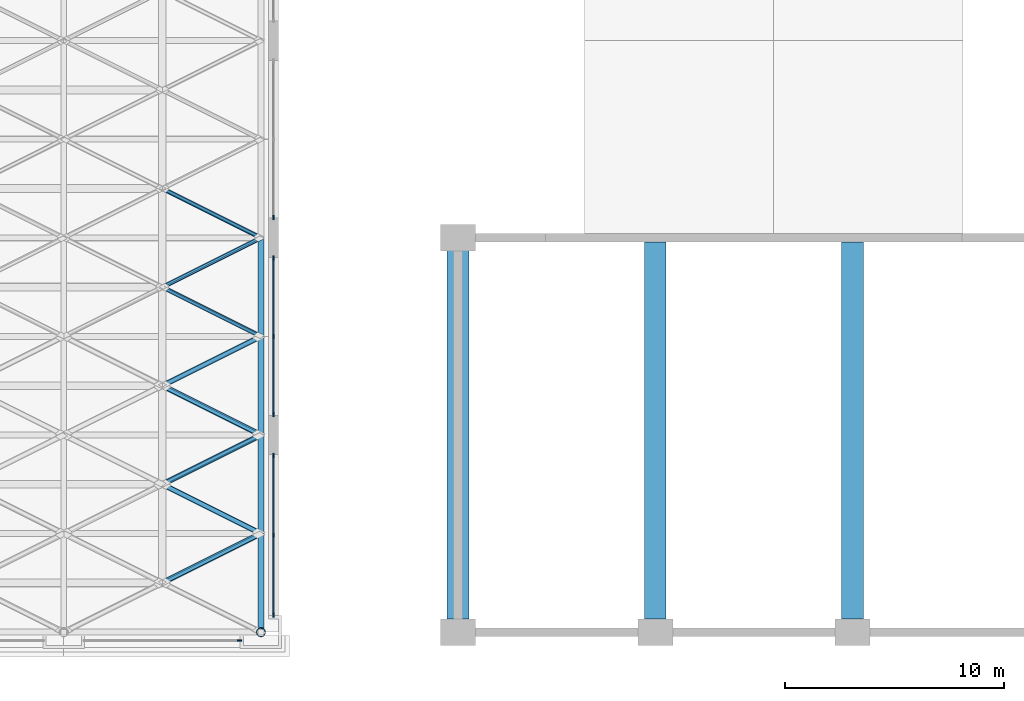
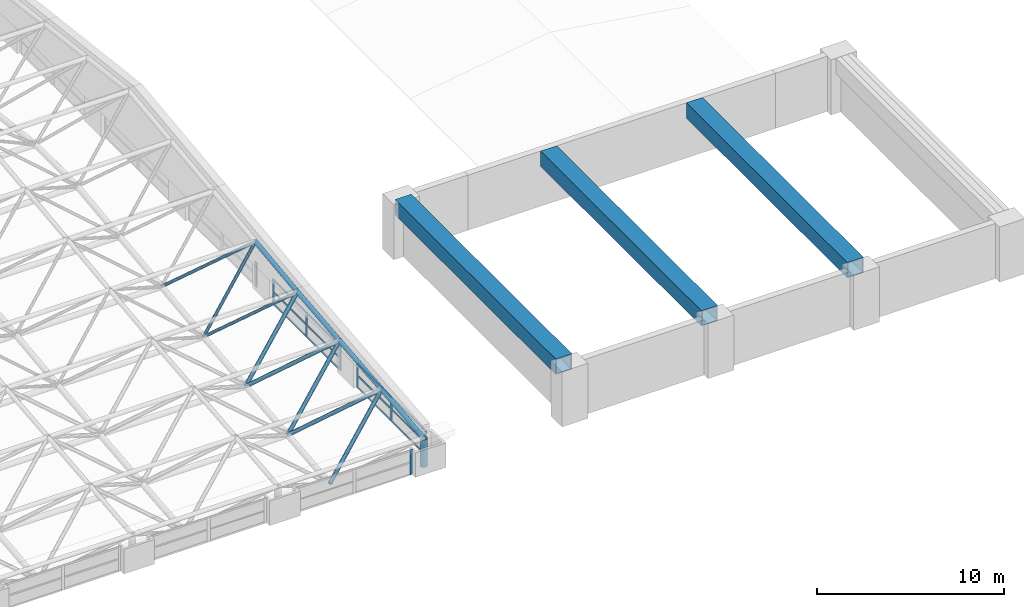
# One storey, part 15 of 53: 33 members, 3 beams, 4 elements without a shape of their own.
"""IFC4 building model written with IfcOpenShell, lengths in metres."""

from ifc_helpers import new_model, si_unit, direction, frame, origin, origin_2d, place, context, subcontext, project, spatial, rectangle, hollow_rectangle, hollow_circle, extrude, material, material_profile, profile_set, type_object, element, aggregate, save


model = new_model("IFC4")

# Units and contexts
model_context = context("Model", 3, precision=1e-05, world=origin(), true_north=direction((0.0, 1.0)))
body_context = subcontext(model_context, "Body", "Model", "MODEL_VIEW")
ifc_project = project(units=[si_unit("LENGTHUNIT", "METRE"), si_unit("AREAUNIT", "SQUARE_METRE"), si_unit("VOLUMEUNIT", "CUBIC_METRE"), si_unit("PLANEANGLEUNIT", "RADIAN"), si_unit("MASSUNIT", "GRAM", prefix="KILO")], contexts=[model_context])

# Site, building, storey
site_placement = place(None, origin())
site = spatial("IfcSite", under=ifc_project, at=site_placement, CompositionType="ELEMENT")
building_placement = place(site_placement, origin())
building = spatial("IfcBuilding", under=site, at=building_placement, Name="Aravalli Gate Trade Fair Centre", CompositionType="ELEMENT")
storey_placement = place(building_placement, frame((0.0, 0.0, 25.199951171875)))
storey = spatial("IfcBuildingStorey", under=building, at=storey_placement, Name="ROOF LEVEL 2", CompositionType="ELEMENT", Elevation=25.199951171875)

# Members
ifc_material_1 = material(Name="Steel E350", Category="steel")
ifc_material_profile_1 = material_profile(ifc_material_1, hollow_circle(Radius=0.096923828125, WallThickness=0.00634765625, at=origin_2d()), Name="CHS 193.7x6.3")
ifc_profile_set_1 = profile_set([ifc_material_profile_1], Name="Steel E350")
member_type_1 = type_object("IfcMemberType", Name="CHS 193.7x6.3", PredefinedType="BRACE", material=ifc_profile_set_1)
for number, where, z_axis, x_axis, name in (
    (1, (105.0, 59.5, 3.150146484375), (-0.786469857322, 0.393234928661, -0.476268258867), (-0.4472135955, -0.894427191, 0.0), "Space frame web diagonal D2B"),
    (2, (105.0, 64.0, 3.699951171875), (-0.786485839543, 0.393242919772, -0.476235267749), (-0.4472135955, -0.894427191, 0.0), "Space frame web diagonal D2B"),
):
    element("IfcMember", number, at=place(storey_placement, frame(where, z_axis=z_axis, x_axis=x_axis)), inside=storey, type_object=member_type_1, Name=name, PredefinedType="BRACE", context=body_context, shape_type="SweptSolid", body=[
        extrude(hollow_circle(Radius=0.096923828125, WallThickness=0.00634765625, at=origin_2d()), origin(), (0.0, 0.0, 1.0), 5.7216796875),
    ])
member_1_placement = place(storey_placement, frame((105.0, 64.0, 3.699951171875), z_axis=(-0.749609832162, -0.374804916081, -0.545533110277), x_axis=(0.4472135955, -0.894427191, 0.0)))
element("IfcMember", 3, at=member_1_placement, inside=storey, type_object=member_type_1, Name="Space frame web diagonal D2D", PredefinedType="BRACE", context=body_context, shape_type="SweptSolid", body=[
    extrude(hollow_circle(Radius=0.096923828125, WallThickness=0.00634765625, at=origin_2d()), origin(), (0.0, 0.0, 1.0), 6.003173828125),
])
ifc_material_profile_2 = material_profile(ifc_material_1, hollow_circle(Radius=0.122314453125, WallThickness=0.008056640625, at=origin_2d()), Name="CHS 244.5x8")
ifc_profile_set_2 = profile_set([ifc_material_profile_2], Name="Steel E350")
member_type_2 = type_object("IfcMemberType", Name="CHS 244.5x8", PredefinedType="BRACE", material=ifc_profile_set_2)
for number, where, z_axis, x_axis, name in (
    (4, (105.0, 50.5, 2.25), (-0.783200147531, 0.391600073766, -0.48295642778), (-0.4472135955, -0.894427191, 0.0), "Space frame web diagonal D1B"),
    (5, (105.0, 55.0, 2.699951171875), (-0.783200147531, 0.391600073766, -0.48295642778), (-0.4472135955, -0.894427191, 0.0), "Space frame web diagonal D1B"),
):
    element("IfcMember", number, at=place(storey_placement, frame(where, z_axis=z_axis, x_axis=x_axis)), inside=storey, type_object=member_type_2, Name=name, PredefinedType="BRACE", context=body_context, shape_type="SweptSolid", body=[
        extrude(hollow_circle(Radius=0.122314453125, WallThickness=0.008056640625, at=origin_2d()), origin(), (0.0, 0.0, 1.0), 5.74560546875),
    ])
for number, where, z_axis, x_axis, name in (
    (6, (105.0, 50.5, 2.25), (-0.753016221047, -0.376508110523, -0.539637112837), (0.4472135955, -0.894427191, 0.0), "Space frame web diagonal D1D"),
    (7, (105.0, 55.0, 2.699951171875), (-0.753016221047, -0.376508110523, -0.539637112837), (0.4472135955, -0.894427191, 0.0), "Space frame web diagonal D1D"),
    (8, (105.0, 59.5, 3.150146484375), (-0.752999619823, -0.376499809912, -0.539666068678), (0.4472135955, -0.894427191, 0.0), "Space frame web diagonal D1D"),
):
    element("IfcMember", number, at=place(storey_placement, frame(where, z_axis=z_axis, x_axis=x_axis)), inside=storey, type_object=member_type_2, Name=name, PredefinedType="BRACE", context=body_context, shape_type="SweptSolid", body=[
        extrude(hollow_circle(Radius=0.122314453125, WallThickness=0.008056640625, at=origin_2d()), origin(), (0.0, 0.0, 1.0), 5.97607421875),
    ])
ifc_material_profile_3 = material_profile(ifc_material_1, hollow_circle(Radius=0.136474609375, WallThickness=0.01611328125, at=origin_2d()), Name="CHS 273.1x16")
ifc_profile_set_3 = profile_set([ifc_material_profile_3], Name="Steel E350")
member_type_3 = type_object("IfcMemberType", Name="CHS 273.1x16", PredefinedType="CHORD", material=ifc_profile_set_3)
for number, where, z_axis, x_axis, name in (
    (9, (105.0, 46.0, 1.800048828125), (0.0, 0.995038259148, 0.099493029059), (-1.0, 0.0, 0.0), "Space frame edge chord at the end lines YE1"),
    (10, (105.0, 50.5, 2.25), (0.0, 0.995038259148, 0.099493029059), (-1.0, 0.0, 0.0), "Space frame edge chord at the end lines YE1"),
    (11, (105.0, 55.0, 2.699951171875), (0.0, 0.995032913332, 0.099546478526), (-1.0, 0.0, 0.0), "Space frame edge chord at the end lines YE1"),
):
    element("IfcMember", number, at=place(storey_placement, frame(where, z_axis=z_axis, x_axis=x_axis)), inside=storey, type_object=member_type_3, Name=name, PredefinedType="CHORD", context=body_context, shape_type="SweptSolid", body=[
        extrude(hollow_circle(Radius=0.136474609375, WallThickness=0.01611328125, at=origin_2d()), origin(), (0.0, 0.0, 1.0), 4.5224609375),
    ])
member_2_placement = place(storey_placement, frame((105.0, 59.5, 3.150146484375), z_axis=(0.0, 0.992618705116, 0.12127698155), x_axis=(-1.0, 0.0, 0.0)))
element("IfcMember", 12, at=member_2_placement, inside=storey, type_object=member_type_3, Name="Space frame edge chord at the end lines YE2", PredefinedType="CHORD", context=body_context, shape_type="SweptSolid", body=[
    extrude(hollow_circle(Radius=0.136474609375, WallThickness=0.01611328125, at=origin_2d()), origin(), (0.0, 0.0, 1.0), 4.533447265625),
])
ifc_material_profile_4 = material_profile(ifc_material_1, hollow_circle(Radius=0.203125, WallThickness=0.01611328125, at=origin_2d()), Name="CHS 406.4x16")
ifc_profile_set_4 = profile_set([ifc_material_profile_4], Name="Steel E350")
member_type_4 = type_object("IfcMemberType", Name="CHS 406.4x16", PredefinedType="POST", material=ifc_profile_set_4)
member_3_placement = place(storey_placement, frame((105.0, 46.0, 0.0), z_axis=(0.0, 0.0, 1.0), x_axis=(1.0, 0.0, 0.0)))
element("IfcMember", 13, at=member_3_placement, inside=storey, type_object=member_type_4, Name="Space frame bearing post P1", PredefinedType="POST", context=body_context, shape_type="SweptSolid", body=[
    extrude(hollow_circle(Radius=0.203125, WallThickness=0.01611328125, at=origin_2d()), origin(), (0.0, 0.0, 1.0), 1.800048828125),
])

# Beams
ifc_material_profile_5 = material_profile(ifc_material_1, hollow_rectangle(XDim=1.0, YDim=1.0, WallThickness=0.050048828125, at=origin_2d()), Name="BOX 1000x1000x50")
ifc_profile_set_5 = profile_set([ifc_material_profile_5], Name="Steel E350")
beam_type = type_object("IfcBeamType", Name="Congress stage roof beam BOX 1000x1000x50", PredefinedType="BEAM", material=ifc_profile_set_5)
for number, where, z_axis, x_axis, name in (
    (14, (114.0, 46.60009765625, 3.10009765625), (0.0, 1.0, 0.0), (-1.0, 0.0, 0.0), "Stage roof beam line 114"),
    (15, (123.0, 46.60009765625, 3.10009765625), (0.0, 1.0, 0.0), (-1.0, 0.0, 0.0), "Stage roof beam line 123"),
    (16, (132.0, 46.60009765625, 3.10009765625), (0.0, 1.0, 0.0), (-1.0, 0.0, 0.0), "Stage roof beam line 132"),
):
    element("IfcBeam", number, at=place(storey_placement, frame(where, z_axis=z_axis, x_axis=x_axis)), inside=storey, type_object=beam_type, Name=name, PredefinedType="BEAM", context=body_context, shape_type="SweptSolid", body=[
        extrude(hollow_rectangle(XDim=1.0, YDim=1.0, WallThickness=0.050048828125, at=origin_2d()), origin(), (0.0, 0.0, 1.0), 17.199951171875),
    ])

# Curtain wall, member
ifc_material_2 = material(Name="Aluminium, glass and louvre", Category="aluminium")
curtain_wall_type = type_object("IfcCurtainWallType", Name="Hall crown curtain wall 3000 module", PredefinedType="NOTDEFINED", material=ifc_material_2)
curtain_wall_1_placement = place(storey_placement, origin())
curtain_wall_1 = element("IfcCurtainWall", 17, at=curtain_wall_1_placement, inside=storey, type_object=curtain_wall_type, Name="Hall south crown curtain wall bay 11 ROOF LEVEL 2", PredefinedType="NOTDEFINED")
ifc_material_3 = material(Name="Aluminium", Category="aluminium")
ifc_material_profile_6 = material_profile(ifc_material_3, rectangle(XDim=0.06005859375, YDim=0.199951171875, at=origin_2d()), Name="Hall curtain wall mullion 60 x 200")
ifc_profile_set_6 = profile_set([ifc_material_profile_6], Name="Aluminium")
member_type_5 = type_object("IfcMemberType", Name="Hall curtain wall mullion 60 x 200", PredefinedType="MULLION", material=ifc_profile_set_6)
member_4_placement = place(storey_placement, frame((104.02001953125, 45.625, 0.0), z_axis=(0.0, 0.0, 1.0), x_axis=(0.0, 1.0, 0.0)))
member_4 = element("IfcMember", 18, at=member_4_placement, type_object=member_type_5, Name="HCW1 mullion 3", PredefinedType="MULLION", context=body_context, shape_type="SweptSolid", body=[
    extrude(rectangle(XDim=0.06005859375, YDim=0.199951171875, at=origin_2d()), origin(), (0.0, 0.0, 1.0), 1.60009765625),
])
aggregate(curtain_wall_1, [member_4])

# Curtain wall, members
curtain_wall_2_placement = place(storey_placement, origin())
curtain_wall_2 = element("IfcCurtainWall", 19, at=curtain_wall_2_placement, inside=storey, type_object=curtain_wall_type, Name="Hall east crown curtain wall 1 ROOF LEVEL 2", PredefinedType="NOTDEFINED")
member_5_placement = place(storey_placement, frame((105.574951171875, 46.780029296875, 0.0), z_axis=(0.0, 0.0, 1.0), x_axis=(-1.0, 0.0, 0.0)))
member_5 = element("IfcMember", 20, at=member_5_placement, type_object=member_type_5, Name="HCW1 mullion 1", PredefinedType="MULLION", context=body_context, shape_type="SweptSolid", body=[
    extrude(rectangle(XDim=0.06005859375, YDim=0.199951171875, at=origin_2d()), origin(), (0.0, 0.0, 1.0), 1.60009765625),
])
member_6_placement = place(storey_placement, frame((105.574951171875, 50.425048828125, 0.0), z_axis=(0.0, 0.0, 1.0), x_axis=(-1.0, 0.0, 0.0)))
member_6 = element("IfcMember", 21, at=member_6_placement, type_object=member_type_5, Name="HCW1 mullion 2", PredefinedType="MULLION", context=body_context, shape_type="SweptSolid", body=[
    extrude(rectangle(XDim=0.06005859375, YDim=0.199951171875, at=origin_2d()), origin(), (0.0, 0.0, 1.0), 1.60009765625),
])
member_7_placement = place(storey_placement, frame((105.574951171875, 54.070068359375, 0.0), z_axis=(0.0, 0.0, 1.0), x_axis=(-1.0, 0.0, 0.0)))
member_7 = element("IfcMember", 22, at=member_7_placement, type_object=member_type_5, Name="HCW1 mullion 3", PredefinedType="MULLION", context=body_context, shape_type="SweptSolid", body=[
    extrude(rectangle(XDim=0.06005859375, YDim=0.199951171875, at=origin_2d()), origin(), (0.0, 0.0, 1.0), 1.60009765625),
])

curtain_wall_3_placement = place(storey_placement, origin())
curtain_wall_3 = element("IfcCurtainWall", 23, at=curtain_wall_3_placement, inside=storey, type_object=curtain_wall_type, Name="Hall east crown curtain wall 2 ROOF LEVEL 2", PredefinedType="NOTDEFINED")
member_8_placement = place(storey_placement, frame((105.574951171875, 55.929931640625, 0.0), z_axis=(0.0, 0.0, 1.0), x_axis=(-1.0, 0.0, 0.0)))
member_8 = element("IfcMember", 24, at=member_8_placement, type_object=member_type_5, Name="HCW1 mullion 1", PredefinedType="MULLION", context=body_context, shape_type="SweptSolid", body=[
    extrude(rectangle(XDim=0.06005859375, YDim=0.199951171875, at=origin_2d()), origin(), (0.0, 0.0, 1.0), 1.60009765625),
])
member_9_placement = place(storey_placement, frame((105.574951171875, 59.5, 0.0), z_axis=(0.0, 0.0, 1.0), x_axis=(-1.0, 0.0, 0.0)))
member_9 = element("IfcMember", 25, at=member_9_placement, type_object=member_type_5, Name="HCW1 mullion 2", PredefinedType="MULLION", context=body_context, shape_type="SweptSolid", body=[
    extrude(rectangle(XDim=0.06005859375, YDim=0.199951171875, at=origin_2d()), origin(), (0.0, 0.0, 1.0), 1.60009765625),
])
member_10_placement = place(storey_placement, frame((105.574951171875, 63.070068359375, 0.0), z_axis=(0.0, 0.0, 1.0), x_axis=(-1.0, 0.0, 0.0)))
member_10 = element("IfcMember", 26, at=member_10_placement, type_object=member_type_5, Name="HCW1 mullion 3", PredefinedType="MULLION", context=body_context, shape_type="SweptSolid", body=[
    extrude(rectangle(XDim=0.06005859375, YDim=0.199951171875, at=origin_2d()), origin(), (0.0, 0.0, 1.0), 1.60009765625),
])

# Curtain wall, member
curtain_wall_4_placement = place(storey_placement, origin())
curtain_wall_4 = element("IfcCurtainWall", 27, at=curtain_wall_4_placement, inside=storey, type_object=curtain_wall_type, Name="Hall east crown curtain wall 3 ROOF LEVEL 2", PredefinedType="NOTDEFINED")
member_11_placement = place(storey_placement, frame((105.574951171875, 64.929931640625, 0.0), z_axis=(0.0, 0.0, 1.0), x_axis=(-1.0, 0.0, 0.0)))
member_11 = element("IfcMember", 28, at=member_11_placement, type_object=member_type_5, Name="HCW1 mullion 1", PredefinedType="MULLION", context=body_context, shape_type="SweptSolid", body=[
    extrude(rectangle(XDim=0.06005859375, YDim=0.199951171875, at=origin_2d()), origin(), (0.0, 0.0, 1.0), 1.60009765625),
])
aggregate(curtain_wall_4, [member_11])

# Member
ifc_material_profile_7 = material_profile(ifc_material_3, rectangle(XDim=0.06005859375, YDim=0.1201171875, at=origin_2d()), Name="Hall curtain wall transom 60 x 120")
ifc_profile_set_7 = profile_set([ifc_material_profile_7], Name="Aluminium")
member_type_6 = type_object("IfcMemberType", Name="Hall curtain wall transom 60 x 120", PredefinedType="USERDEFINED", material=ifc_profile_set_7)
member_12_placement = place(storey_placement, frame((105.574951171875, 46.81005859375, 0.030029296875), z_axis=(0.0, 1.0, 0.0), x_axis=(-1.0, 0.0, 0.0)))
member_12 = element("IfcMember", 29, at=member_12_placement, type_object=member_type_6, Name="HCW1 transom 1.1", ObjectType="TRANSOM", PredefinedType="USERDEFINED", context=body_context, shape_type="SweptSolid", body=[
    extrude(rectangle(XDim=0.06005859375, YDim=0.1201171875, at=origin_2d()), origin(), (0.0, 0.0, 1.0), 3.5849609375),
])

member_13_placement = place(storey_placement, frame((105.574951171875, 46.81005859375, 0.800048828125), z_axis=(0.0, 1.0, 0.0), x_axis=(-1.0, 0.0, 0.0)))
member_13 = element("IfcMember", 30, at=member_13_placement, type_object=member_type_6, Name="HCW1 transom 1.2", ObjectType="TRANSOM", PredefinedType="USERDEFINED", context=body_context, shape_type="SweptSolid", body=[
    extrude(rectangle(XDim=0.06005859375, YDim=0.1201171875, at=origin_2d()), origin(), (0.0, 0.0, 1.0), 3.5849609375),
])

member_14_placement = place(storey_placement, frame((105.574951171875, 46.81005859375, 1.570068359375), z_axis=(0.0, 1.0, 0.0), x_axis=(-1.0, 0.0, 0.0)))
member_14 = element("IfcMember", 31, at=member_14_placement, type_object=member_type_6, Name="HCW1 transom 1.3", ObjectType="TRANSOM", PredefinedType="USERDEFINED", context=body_context, shape_type="SweptSolid", body=[
    extrude(rectangle(XDim=0.06005859375, YDim=0.1201171875, at=origin_2d()), origin(), (0.0, 0.0, 1.0), 3.5849609375),
])

member_15_placement = place(storey_placement, frame((105.574951171875, 50.455078125, 0.030029296875), z_axis=(0.0, 1.0, 0.0), x_axis=(-1.0, 0.0, 0.0)))
member_15 = element("IfcMember", 32, at=member_15_placement, type_object=member_type_6, Name="HCW1 transom 2.1", ObjectType="TRANSOM", PredefinedType="USERDEFINED", context=body_context, shape_type="SweptSolid", body=[
    extrude(rectangle(XDim=0.06005859375, YDim=0.1201171875, at=origin_2d()), origin(), (0.0, 0.0, 1.0), 3.5849609375),
])

member_16_placement = place(storey_placement, frame((105.574951171875, 50.455078125, 0.800048828125), z_axis=(0.0, 1.0, 0.0), x_axis=(-1.0, 0.0, 0.0)))
member_16 = element("IfcMember", 33, at=member_16_placement, type_object=member_type_6, Name="HCW1 transom 2.2", ObjectType="TRANSOM", PredefinedType="USERDEFINED", context=body_context, shape_type="SweptSolid", body=[
    extrude(rectangle(XDim=0.06005859375, YDim=0.1201171875, at=origin_2d()), origin(), (0.0, 0.0, 1.0), 3.5849609375),
])

member_17_placement = place(storey_placement, frame((105.574951171875, 50.455078125, 1.570068359375), z_axis=(0.0, 1.0, 0.0), x_axis=(-1.0, 0.0, 0.0)))
member_17 = element("IfcMember", 34, at=member_17_placement, type_object=member_type_6, Name="HCW1 transom 2.3", ObjectType="TRANSOM", PredefinedType="USERDEFINED", context=body_context, shape_type="SweptSolid", body=[
    extrude(rectangle(XDim=0.06005859375, YDim=0.1201171875, at=origin_2d()), origin(), (0.0, 0.0, 1.0), 3.5849609375),
])

aggregate(curtain_wall_2, [member_5, member_6, member_7, member_12, member_13, member_14, member_15, member_16, member_17])

member_18_placement = place(storey_placement, frame((105.574951171875, 55.9599609375, 0.030029296875), z_axis=(0.0, 1.0, 0.0), x_axis=(-1.0, 0.0, 0.0)))
member_18 = element("IfcMember", 35, at=member_18_placement, type_object=member_type_6, Name="HCW1 transom 1.1", ObjectType="TRANSOM", PredefinedType="USERDEFINED", context=body_context, shape_type="SweptSolid", body=[
    extrude(rectangle(XDim=0.06005859375, YDim=0.1201171875, at=origin_2d()), origin(), (0.0, 0.0, 1.0), 3.510009765625),
])

member_19_placement = place(storey_placement, frame((105.574951171875, 55.9599609375, 0.800048828125), z_axis=(0.0, 1.0, 0.0), x_axis=(-1.0, 0.0, 0.0)))
member_19 = element("IfcMember", 36, at=member_19_placement, type_object=member_type_6, Name="HCW1 transom 1.2", ObjectType="TRANSOM", PredefinedType="USERDEFINED", context=body_context, shape_type="SweptSolid", body=[
    extrude(rectangle(XDim=0.06005859375, YDim=0.1201171875, at=origin_2d()), origin(), (0.0, 0.0, 1.0), 3.510009765625),
])

member_20_placement = place(storey_placement, frame((105.574951171875, 55.9599609375, 1.570068359375), z_axis=(0.0, 1.0, 0.0), x_axis=(-1.0, 0.0, 0.0)))
member_20 = element("IfcMember", 37, at=member_20_placement, type_object=member_type_6, Name="HCW1 transom 1.3", ObjectType="TRANSOM", PredefinedType="USERDEFINED", context=body_context, shape_type="SweptSolid", body=[
    extrude(rectangle(XDim=0.06005859375, YDim=0.1201171875, at=origin_2d()), origin(), (0.0, 0.0, 1.0), 3.510009765625),
])

member_21_placement = place(storey_placement, frame((105.574951171875, 59.530029296875, 0.030029296875), z_axis=(0.0, 1.0, 0.0), x_axis=(-1.0, 0.0, 0.0)))
member_21 = element("IfcMember", 38, at=member_21_placement, type_object=member_type_6, Name="HCW1 transom 2.1", ObjectType="TRANSOM", PredefinedType="USERDEFINED", context=body_context, shape_type="SweptSolid", body=[
    extrude(rectangle(XDim=0.06005859375, YDim=0.1201171875, at=origin_2d()), origin(), (0.0, 0.0, 1.0), 3.510009765625),
])

member_22_placement = place(storey_placement, frame((105.574951171875, 59.530029296875, 0.800048828125), z_axis=(0.0, 1.0, 0.0), x_axis=(-1.0, 0.0, 0.0)))
member_22 = element("IfcMember", 39, at=member_22_placement, type_object=member_type_6, Name="HCW1 transom 2.2", ObjectType="TRANSOM", PredefinedType="USERDEFINED", context=body_context, shape_type="SweptSolid", body=[
    extrude(rectangle(XDim=0.06005859375, YDim=0.1201171875, at=origin_2d()), origin(), (0.0, 0.0, 1.0), 3.510009765625),
])

member_23_placement = place(storey_placement, frame((105.574951171875, 59.530029296875, 1.570068359375), z_axis=(0.0, 1.0, 0.0), x_axis=(-1.0, 0.0, 0.0)))
member_23 = element("IfcMember", 40, at=member_23_placement, type_object=member_type_6, Name="HCW1 transom 2.3", ObjectType="TRANSOM", PredefinedType="USERDEFINED", context=body_context, shape_type="SweptSolid", body=[
    extrude(rectangle(XDim=0.06005859375, YDim=0.1201171875, at=origin_2d()), origin(), (0.0, 0.0, 1.0), 3.510009765625),
])

aggregate(curtain_wall_3, [member_8, member_9, member_10, member_18, member_19, member_20, member_21, member_22, member_23])

save(model, "model.ifc")
